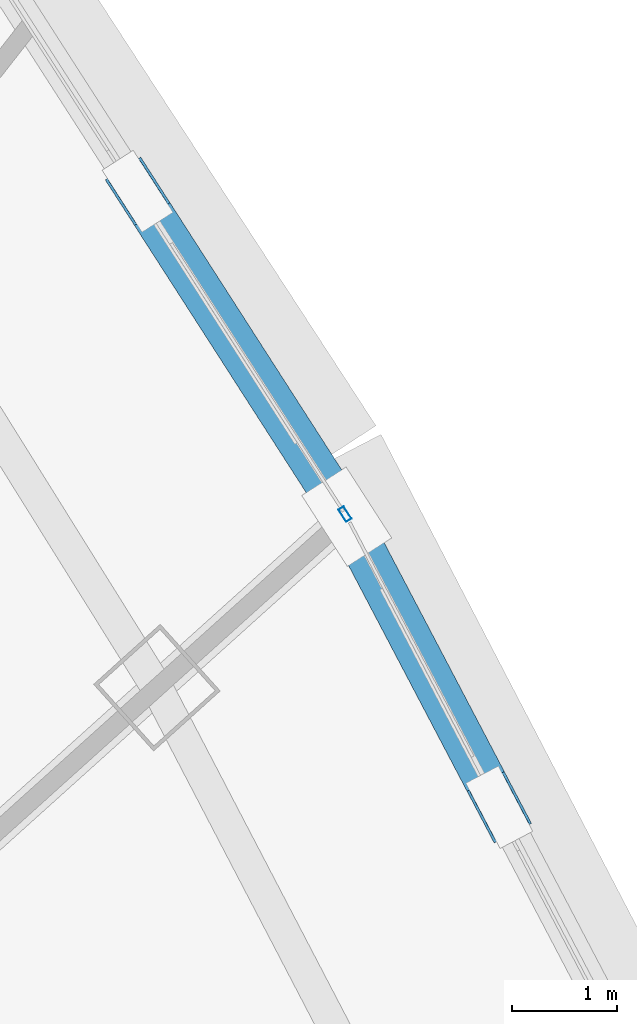
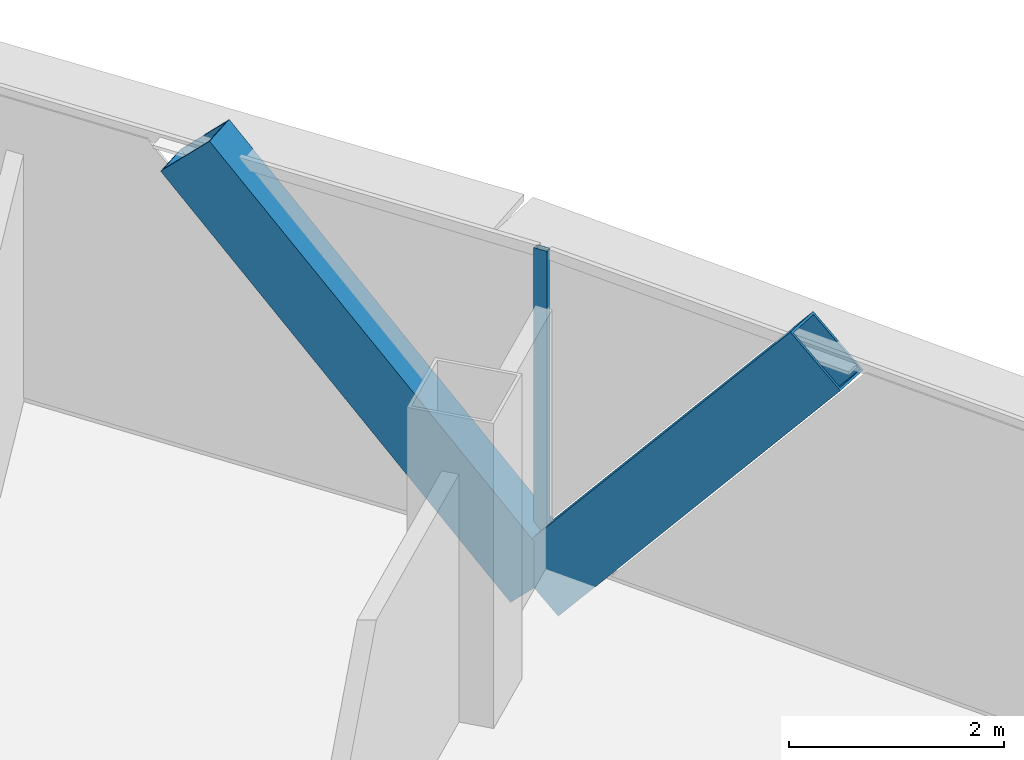
# One storey, part 21 of 37: 3 members, 1 element without a shape of its own.
"""IFC4 building model written with IfcOpenShell, lengths in metres."""

from ifc_helpers import new_model, si_unit, direction, frame, origin, origin_2d, place, context, subcontext, project, spatial, hollow_rectangle, extrude, source, transform, mapped, material, layer, layer_set, material_profile, profile_set, type_object, element, aggregate, save


model = new_model("IFC4")

# Units and contexts
model_context = context("Model", 3, precision=1e-05, world=origin(), true_north=direction((0.0, 1.0)))
body_context = subcontext(model_context, "Body", "Model", "MODEL_VIEW")
ifc_project = project(units=[si_unit("LENGTHUNIT", "METRE"), si_unit("AREAUNIT", "SQUARE_METRE"), si_unit("VOLUMEUNIT", "CUBIC_METRE"), si_unit("PLANEANGLEUNIT", "RADIAN"), si_unit("MASSUNIT", "GRAM", prefix="KILO"), si_unit("THERMODYNAMICTEMPERATUREUNIT", "KELVIN"), si_unit("POWERUNIT", "WATT")], contexts=[model_context])

# Site, building, storey
site_placement = place(None, origin())
site = spatial("IfcSite", under=ifc_project, at=site_placement, CompositionType="ELEMENT")
building_placement = place(site_placement, origin())
building = spatial("IfcBuilding", under=site, at=building_placement, Name="Yunzhuo Pagoda Commons", CompositionType="ELEMENT")
storey_placement = place(building_placement, frame((0.0, 0.0, 240.800048828125)))
storey = spatial("IfcBuildingStorey", under=building, at=storey_placement, Name="L60", CompositionType="ELEMENT", Elevation=240.800048828125)

# Members
ifc_material_1 = material(Name="Structural steel Q355B", Category="steel")
ifc_material_profile_1 = material_profile(ifc_material_1, hollow_rectangle(XDim=0.39990234375, YDim=0.719970703125, WallThickness=0.02392578125, at=origin_2d()), Name="Structural steel Q355B")
ifc_profile_set_1 = profile_set([ifc_material_profile_1], Name="Structural steel Q355B")
member_type_1 = type_object("IfcMemberType", Name="M-DL2 Brace BOX 720x400x24", PredefinedType="BRACE", material=ifc_profile_set_1)
shared_shape_1 = source(origin(), body_context, "Body", "SweptSolid", [
    extrude(hollow_rectangle(XDim=0.39990234375, YDim=0.719970703125, WallThickness=0.02392578125, at=origin_2d()), origin(), (0.0, 0.0, 1.0), 4.857421875),
])
member_1_placement = place(storey_placement, frame((70.41162109375, 53.879638671875, -0.260009765625), z_axis=(0.29770365409, -0.567109628415, 0.767957813751), x_axis=(0.885416472783, 0.46479852595, 0.0)))
element("IfcMember", 1, at=member_1_placement, inside=storey, type_object=member_type_1, Name="L60 facade diamond brace F2.2R", PredefinedType="BRACE", context=body_context, shape_type="MappedRepresentation", body=[
    mapped(shared_shape_1, transform((0.0, 0.0, 0.0), scale=1.0)),
])
shared_shape_2 = source(origin(), body_context, "Body", "SweptSolid", [
    extrude(hollow_rectangle(XDim=0.39990234375, YDim=0.719970703125, WallThickness=0.02392578125, at=origin_2d()), origin(), (0.0, 0.0, 1.0), 5.2314453125),
])
member_2_placement = place(storey_placement, frame((70.41162109375, 53.879638671875, -0.260009765625), z_axis=(-0.379036831274, 0.58983581759, 0.713039121525), x_axis=(-0.841271456876, -0.540612926081, 0.0)))
element("IfcMember", 2, at=member_2_placement, inside=storey, type_object=member_type_1, Name="L60 facade diamond brace F2.3L", PredefinedType="BRACE", context=body_context, shape_type="MappedRepresentation", body=[
    mapped(shared_shape_2, transform((0.0, 0.0, 0.0), scale=1.0)),
])

# Curtain wall, member
ifc_material_2 = material(Name="Anodized aluminium 6063-T6", Category="aluminium")
ifc_layer = layer(ifc_material_2, 0.139892578125)
ifc_layer_set = layer_set([ifc_layer], Name="Anodized aluminium 6063-T6")
curtain_wall_type = type_object("IfcCurtainWallType", Name="CW-HI High-Zone Ribbon Curtain Wall", PredefinedType="NOTDEFINED", material=ifc_layer_set)
curtain_wall_placement = place(storey_placement, origin())
curtain_wall = element("IfcCurtainWall", 3, at=curtain_wall_placement, inside=storey, type_object=curtain_wall_type, Name="L60 curtain wall CW-L60-F2B4", PredefinedType="NOTDEFINED")
ifc_material_profile_2 = material_profile(ifc_material_2, hollow_rectangle(XDim=0.06005859375, YDim=0.139892578125, WallThickness=0.00341796875, at=origin_2d()), Name="Anodized aluminium 6063-T6")
ifc_profile_set_2 = profile_set([ifc_material_profile_2], Name="Anodized aluminium 6063-T6")
member_type_2 = type_object("IfcMemberType", Name="CW-HI-M Mullion RHS 140x60x3.5", PredefinedType="MULLION", material=ifc_profile_set_2)
shared_shape_3 = source(origin(), body_context, "Body", "SweptSolid", [
    extrude(hollow_rectangle(XDim=0.06005859375, YDim=0.139892578125, WallThickness=0.00341796875, at=origin_2d()), origin(), (0.0, 0.0, 1.0), 3.47021484375),
])
member_3_placement = place(storey_placement, frame((70.3955078125, 53.90478515625, 0.0), z_axis=(0.0, 0.0, 1.0), x_axis=(-0.841269037614, -0.540616690782, 0.0)))
member_3 = element("IfcMember", 4, at=member_3_placement, type_object=member_type_2, Name="CW mullion 1", PredefinedType="MULLION", context=body_context, shape_type="MappedRepresentation", body=[
    mapped(shared_shape_3, transform((0.0, 0.0, 0.0), scale=1.0)),
])
aggregate(curtain_wall, [member_3])

save(model, "model.ifc")
